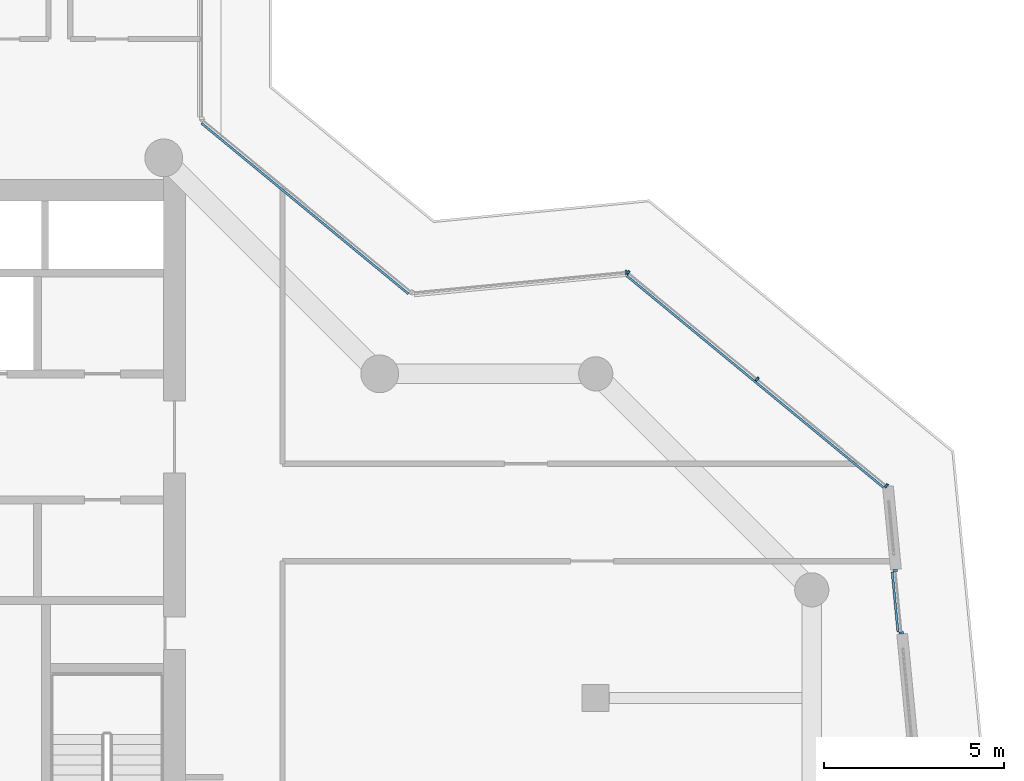
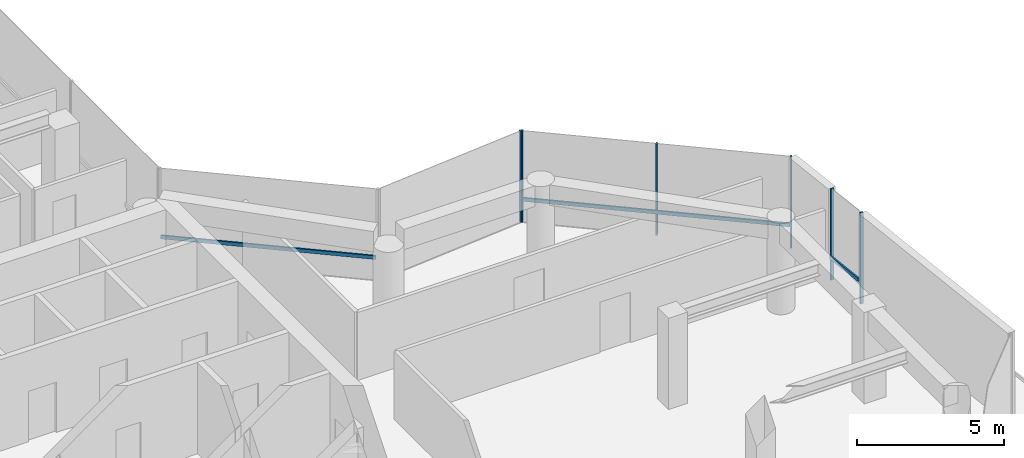
# One storey, part 8 of 22: 9 members, 4 elements without a shape of their own.
"""IFC4 building model written with IfcOpenShell, lengths in metres."""

from ifc_helpers import new_model, si_unit, direction, frame, origin, origin_2d, place, context, subcontext, project, spatial, rectangle, extrude, material, layer, layer_set, material_profile, profile_set, type_object, element, aggregate, save


model = new_model("IFC4")

# Units and contexts
model_context = context("Model", 3, precision=1e-05, world=origin(), true_north=direction((0.0, 1.0)))
body_context = subcontext(model_context, "Body", "Model", "MODEL_VIEW")
ifc_project = project(units=[si_unit("LENGTHUNIT", "METRE"), si_unit("AREAUNIT", "SQUARE_METRE"), si_unit("VOLUMEUNIT", "CUBIC_METRE"), si_unit("PLANEANGLEUNIT", "RADIAN"), si_unit("MASSUNIT", "GRAM", prefix="KILO")], contexts=[model_context])

# Site, building, storey
site_placement = place(None, origin())
site = spatial("IfcSite", under=ifc_project, at=site_placement, CompositionType="ELEMENT")
building_placement = place(site_placement, origin())
building = spatial("IfcBuilding", under=site, at=building_placement, Name="Welwitschia Terrace Campus", CompositionType="ELEMENT")
storey_placement = place(building_placement, frame((0.0, 0.0, 192.800048828125)))
storey = spatial("IfcBuildingStorey", under=building, at=storey_placement, Name="L43", CompositionType="ELEMENT", Elevation=192.800048828125)

# Curtain wall, members
ifc_material_1 = material(Name="Bronze anodised aluminium", Category="aluminium")
ifc_layer = layer(ifc_material_1, 0.1201171875)
ifc_layer_set = layer_set([ifc_layer], Name="Bronze anodised aluminium")
curtain_wall_type = type_object("IfcCurtainWallType", Name="Curtain wall CW2 tower 6000", PredefinedType="NOTDEFINED", material=ifc_layer_set)
curtain_wall_1_placement = place(storey_placement, origin())
curtain_wall_1 = element("IfcCurtainWall", 1, at=curtain_wall_1_placement, inside=storey, type_object=curtain_wall_type, Name="CW L43.6.S0", PredefinedType="NOTDEFINED")
ifc_material_2 = material(Name="Bronze anodised aluminium", Category="aluminium")
ifc_material_profile_1 = material_profile(ifc_material_2, rectangle(XDim=0.1201171875, YDim=0.06005859375, at=origin_2d()))
ifc_profile_set_1 = profile_set([ifc_material_profile_1], Name="Bronze anodised aluminium")
member_type_1 = type_object("IfcMemberType", Name="Mullion 60x120", PredefinedType="MULLION", material=ifc_profile_set_1)
member_1_placement = place(storey_placement, frame((44.48681640625, 12.804443359375, 0.0), z_axis=(0.0, 0.0, 1.0), x_axis=(-0.995396198367, -0.09584575252, 0.0)))
member_1 = element("IfcMember", 2, at=member_1_placement, type_object=member_type_1, Name="Mullion L43.6.S0.0", PredefinedType="MULLION", context=body_context, shape_type="SweptSolid", body=[
    extrude(rectangle(XDim=0.1201171875, YDim=0.06005859375, at=origin_2d()), origin(), (0.0, 0.0, 1.0), 3.800048828125),
])
member_2_placement = place(storey_placement, frame((44.320068359375, 14.536376953125, 0.0), z_axis=(0.0, 0.0, 1.0), x_axis=(-0.995396198367, -0.09584575252, 0.0)))
member_2 = element("IfcMember", 3, at=member_2_placement, type_object=member_type_1, Name="Mullion L43.6.S0.1", PredefinedType="MULLION", context=body_context, shape_type="SweptSolid", body=[
    extrude(rectangle(XDim=0.1201171875, YDim=0.06005859375, at=origin_2d()), origin(), (0.0, 0.0, 1.0), 3.800048828125),
])

curtain_wall_2_placement = place(storey_placement, origin())
curtain_wall_2 = element("IfcCurtainWall", 4, at=curtain_wall_2_placement, inside=storey, type_object=curtain_wall_type, Name="CW L43.7.0", PredefinedType="NOTDEFINED")
member_3_placement = place(storey_placement, frame((44.07177734375, 16.893798828125, 0.0), z_axis=(0.0, 0.0, 1.0), x_axis=(-0.636078220278, -0.771624583388, 0.0)))
member_3 = element("IfcMember", 5, at=member_3_placement, type_object=member_type_1, Name="Mullion L43.7.0.0", PredefinedType="MULLION", context=body_context, shape_type="SweptSolid", body=[
    extrude(rectangle(XDim=0.1201171875, YDim=0.06005859375, at=origin_2d()), origin(), (0.0, 0.0, 1.0), 3.800048828125),
])
member_4_placement = place(storey_placement, frame((40.48291015625, 19.85205078125, 0.0), z_axis=(0.0, 0.0, 1.0), x_axis=(-0.636078220278, -0.771624583388, 0.0)))
member_4 = element("IfcMember", 6, at=member_4_placement, type_object=member_type_1, Name="Mullion L43.7.0.1", PredefinedType="MULLION", context=body_context, shape_type="SweptSolid", body=[
    extrude(rectangle(XDim=0.1201171875, YDim=0.06005859375, at=origin_2d()), origin(), (0.0, 0.0, 1.0), 3.800048828125),
])
member_5_placement = place(storey_placement, frame((36.894287109375, 22.810546875, 0.0), z_axis=(0.0, 0.0, 1.0), x_axis=(-0.636078220278, -0.771624583388, 0.0)))
member_5 = element("IfcMember", 7, at=member_5_placement, type_object=member_type_1, Name="Mullion L43.7.0.2", PredefinedType="MULLION", context=body_context, shape_type="SweptSolid", body=[
    extrude(rectangle(XDim=0.1201171875, YDim=0.06005859375, at=origin_2d()), origin(), (0.0, 0.0, 1.0), 3.800048828125),
])

# Curtain wall, member
curtain_wall_3_placement = place(storey_placement, origin())
curtain_wall_3 = element("IfcCurtainWall", 8, at=curtain_wall_3_placement, inside=storey, type_object=curtain_wall_type, Name="CW L43.8.0", PredefinedType="NOTDEFINED")
member_6_placement = place(storey_placement, frame((36.84130859375, 22.82666015625, 0.0), z_axis=(0.0, 0.0, 1.0), x_axis=(0.09584575252, -0.995396198367, 0.0)))
member_6 = element("IfcMember", 9, at=member_6_placement, type_object=member_type_1, Name="Mullion L43.8.0.0", PredefinedType="MULLION", context=body_context, shape_type="SweptSolid", body=[
    extrude(rectangle(XDim=0.1201171875, YDim=0.06005859375, at=origin_2d()), origin(), (0.0, 0.0, 1.0), 3.800048828125),
])
aggregate(curtain_wall_3, [member_6])

# Member
ifc_material_3 = material(Name="Bronze anodised aluminium", Category="aluminium")
ifc_material_profile_2 = material_profile(ifc_material_3, rectangle(XDim=0.06005859375, YDim=0.14990234375, at=origin_2d()))
ifc_profile_set_2 = profile_set([ifc_material_profile_2], Name="Bronze anodised aluminium")
member_type_2 = type_object("IfcMemberType", Name="Transom 60x150", PredefinedType="USERDEFINED", material=ifc_profile_set_2)
member_7_placement = place(storey_placement, frame((44.394287109375, 12.82568359375, 1.0), z_axis=(-0.095920099904, 0.995389036726, 0.0), x_axis=(-0.995389036726, -0.095920099904, 0.0)))
member_7 = element("IfcMember", 10, at=member_7_placement, type_object=member_type_2, Name="Transom L43.6.S0", ObjectType="TRANSOM", PredefinedType="USERDEFINED", context=body_context, shape_type="SweptSolid", body=[
    extrude(rectangle(XDim=0.06005859375, YDim=0.14990234375, at=origin_2d()), origin(), (0.0, 0.0, 1.0), 1.679931640625),
])

aggregate(curtain_wall_1, [member_1, member_2, member_7])

member_8_placement = place(storey_placement, frame((43.9912109375, 16.843505859375, 1.0), z_axis=(-0.77162512139, 0.636077567628, 0.0), x_axis=(-0.636077567628, -0.77162512139, 0.0)))
member_8 = element("IfcMember", 11, at=member_8_placement, type_object=member_type_2, Name="Transom L43.7.0", ObjectType="TRANSOM", PredefinedType="USERDEFINED", context=body_context, shape_type="SweptSolid", body=[
    extrude(rectangle(XDim=0.06005859375, YDim=0.14990234375, at=origin_2d()), origin(), (0.0, 0.0, 1.0), 9.24169921875),
])

aggregate(curtain_wall_2, [member_3, member_4, member_5, member_8])

# Curtain wall, member
curtain_wall_4_placement = place(storey_placement, origin())
curtain_wall_4 = element("IfcCurtainWall", 12, at=curtain_wall_4_placement, inside=storey, type_object=curtain_wall_type, Name="CW L43.9.0", PredefinedType="NOTDEFINED")
member_9_placement = place(storey_placement, frame((30.795166015625, 22.22314453125, 1.0), z_axis=(-0.771627412361, 0.636074788443, 0.0), x_axis=(-0.636074788443, -0.771627412361, 0.0)))
member_9 = element("IfcMember", 13, at=member_9_placement, type_object=member_type_2, Name="Transom L43.9.0", ObjectType="TRANSOM", PredefinedType="USERDEFINED", context=body_context, shape_type="SweptSolid", body=[
    extrude(rectangle(XDim=0.06005859375, YDim=0.14990234375, at=origin_2d()), origin(), (0.0, 0.0, 1.0), 7.44921875),
])
aggregate(curtain_wall_4, [member_9])

save(model, "model.ifc")
